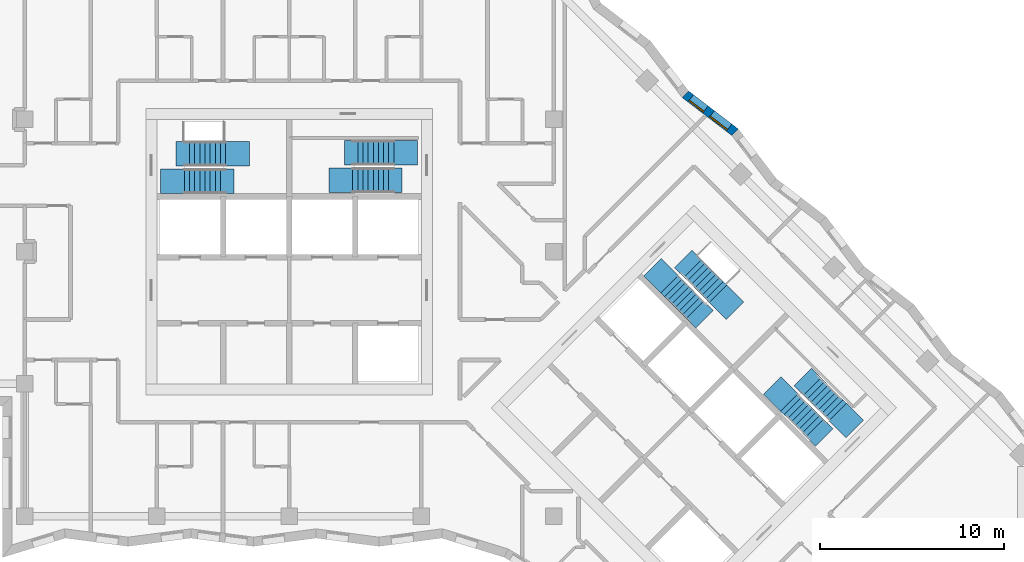
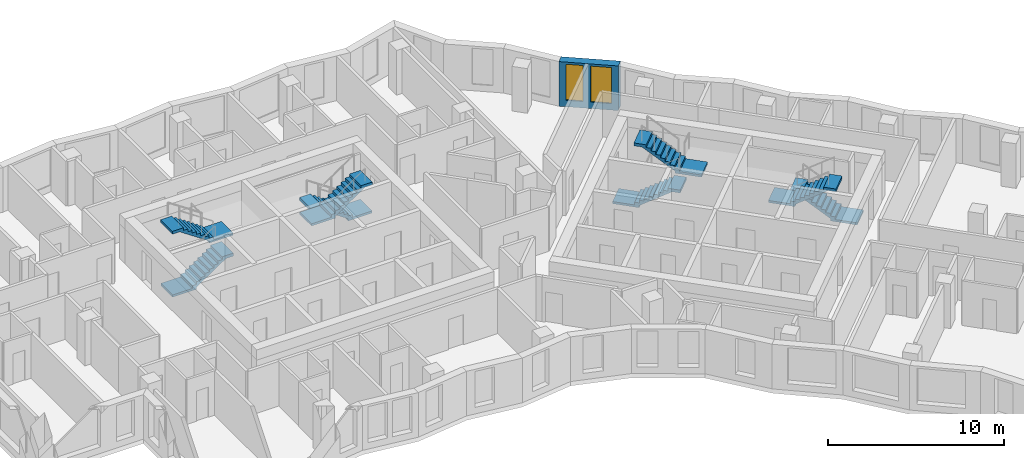
# One storey, part 10 of 12: 8 stair flights, 2 windows, 1 wall, 2 openings, 4 elements without a shape of their own.
"""IFC4 building model written with IfcOpenShell, lengths in metres."""

from ifc_helpers import new_model, si_unit, direction, frame, frame_2d, origin, place, context, subcontext, project, spatial, polyline, rectangle, outline, extrude, material, layer, layer_set, type_object, element, fill, aggregate, save


model = new_model("IFC4")

# Units and contexts
model_context = context("Model", 3, precision=1e-05, world=origin(), true_north=direction((0.0, 1.0)))
body_context = subcontext(model_context, "Body", "Model", "MODEL_VIEW")
ifc_project = project(units=[si_unit("LENGTHUNIT", "METRE"), si_unit("AREAUNIT", "SQUARE_METRE"), si_unit("VOLUMEUNIT", "CUBIC_METRE"), si_unit("PLANEANGLEUNIT", "RADIAN"), si_unit("MASSUNIT", "GRAM", prefix="KILO")], contexts=[model_context])

# Site, building, storey
site_placement = place(None, origin())
site = spatial("IfcSite", under=ifc_project, at=site_placement, CompositionType="ELEMENT")
building_placement = place(site_placement, origin())
building = spatial("IfcBuilding", under=site, at=building_placement, Name="Windrow Commons", CompositionType="ELEMENT")
storey_placement = place(building_placement, frame((0.0, 0.0, 152.4)))
storey = spatial("IfcBuildingStorey", under=building, at=storey_placement, Name="L41", CompositionType="ELEMENT", Elevation=152.4)

# Wall, openings, windows
ifc_material_1 = material(Name="Brick masonry, red clay brick", Category="masonry")
ifc_layer = layer(ifc_material_1, 0.5)
ifc_layer_set = layer_set([ifc_layer], Name="Brick facade wall 500")
wall_type = type_object("IfcWallType", Name="Brick facade wall 500", PredefinedType="SOLIDWALL", material=ifc_layer_set)
wall_placement = place(storey_placement, frame((89.0834, 64.0948, 0.0), z_axis=(0.0, 0.0, 1.0), x_axis=(-0.7944694348, 0.6073041389, 0.0)))
wall = element("IfcWall", 1, at=wall_placement, inside=storey, type_object=wall_type, Name="Brick facade wall L41 15", PredefinedType="SOLIDWALL", context=body_context, shape_type="SweptSolid", body=[
    extrude(outline(polyline([(-0.0334, -0.25), (3.3743, -0.25), (3.4411, 0.25), (0.0334, 0.25), (-0.0334, -0.25)])), origin(), (0.0, 0.0, 1.0), 3.1),
])
opening_1_placement = place(wall_placement, frame((0.4138, 0.0, 0.45)))
opening_1 = element("IfcOpeningElement", 2, at=opening_1_placement, cuts=wall, Name="Opening W7E", PredefinedType="OPENING", context=body_context, shape_type="SweptSolid", body=[
    extrude(rectangle(XDim=1.2, YDim=2.5, at=frame_2d((0.6, 1.25))), frame((0.0, 0.26, 0.0), z_axis=(0.0, -1.0, 0.0), x_axis=(1.0, 0.0, 0.0)), (0.0, 0.0, 1.0), 0.52),
])
opening_2_placement = place(wall_placement, frame((2.0433, 0.0, 0.45)))
opening_2 = element("IfcOpeningElement", 3, at=opening_2_placement, cuts=wall, Name="Opening W1S", PredefinedType="OPENING", context=body_context, shape_type="SweptSolid", body=[
    extrude(rectangle(XDim=1.0, YDim=2.5, at=frame_2d((0.5, 1.25))), frame((0.0, 0.26, 0.0), z_axis=(0.0, -1.0, 0.0), x_axis=(1.0, 0.0, 0.0)), (0.0, 0.0, 1.0), 0.52),
])
ifc_material_2 = material(Name="Clear float glass in anodised aluminium frame", Category="aluminium")
window_type_1 = type_object("IfcWindowType", Name="Window W1S slit 1000x2500", PartitioningType="SINGLE_PANEL", PredefinedType="WINDOW", material=ifc_material_2)
window_1_placement = place(opening_2_placement, origin())
window_1 = element("IfcWindow", 4, at=window_1_placement, inside=storey, type_object=window_type_1, Name="Window L41 15.2A", OverallHeight=2.5, OverallWidth=1.0, PartitioningType="SINGLE_PANEL", PredefinedType="WINDOW", context=body_context, shape_type="SweptSolid", body=[
    extrude(rectangle(XDim=1.0, YDim=2.5, at=frame_2d((0.5, 1.25))), frame((0.0, 0.18, 0.0), z_axis=(0.0, -1.0, 0.0), x_axis=(1.0, 0.0, 0.0)), (0.0, 0.0, 1.0), 0.06),
])
fill(opening_2, window_1)
ifc_material_3 = material(Name="Clear float glass in anodised aluminium frame", Category="aluminium")
window_type_2 = type_object("IfcWindowType", Name="Window W7 notch 1200x2500", PartitioningType="SINGLE_PANEL", PredefinedType="WINDOW", material=ifc_material_3)
window_2_placement = place(opening_1_placement, origin())
window_2 = element("IfcWindow", 5, at=window_2_placement, inside=storey, type_object=window_type_2, Name="Window L41 15.1", OverallHeight=2.5, OverallWidth=1.2, PartitioningType="SINGLE_PANEL", PredefinedType="WINDOW", context=body_context, shape_type="SweptSolid", body=[
    extrude(rectangle(XDim=1.2, YDim=2.5, at=frame_2d((0.6, 1.25))), frame((0.0, 0.18, 0.0), z_axis=(0.0, -1.0, 0.0), x_axis=(1.0, 0.0, 0.0)), (0.0, 0.0, 1.0), 0.06),
])
fill(opening_1, window_2)

# Stair, stair flights
ifc_material_4 = material(Name="Concrete C40/50", Category="concrete")
stair_type = type_object("IfcStairType", Name="Core stair", PredefinedType="HALF_TURN_STAIR", material=ifc_material_4)
placement = place(storey_placement, origin())
stair_1 = element("IfcStair", 6, at=placement, inside=storey, type_object=stair_type, Name="L41 Exit stair A1 core A", PredefinedType="HALF_TURN_STAIR")
ifc_material_5 = material(Name="Concrete C40/50", Category="concrete")
stair_flight_type = type_object("IfcStairFlightType", Name="Core stair flight", PredefinedType="STRAIGHT", material=ifc_material_5)
stair_flight_1_placement = place(storey_placement, frame((59.1, 61.425, 0.0), z_axis=(0.0, 0.0, 1.0), x_axis=(1.0, 0.0, 0.0)))
stair_flight_1 = element("IfcStairFlight", 7, at=stair_flight_1_placement, type_object=stair_flight_type, Name="ST-A1 flight 1", NumberOfRisers=9, NumberOfTreads=8, PredefinedType="STRAIGHT", RiserHeight=0.188888889, TreadLength=0.28, context=body_context, shape_type="SweptSolid", body=[
    extrude(outline(polyline([(-1.3, -0.15), (-1.3, 0.0), (0.0, 0.0), (0.0, 0.1889), (0.28, 0.1889), (0.28, 0.3778), (0.56, 0.3778), (0.56, 0.5667), (0.84, 0.5667), (0.84, 0.7556), (1.12, 0.7556), (1.12, 0.9444), (1.4, 0.9444), (1.4, 1.1333), (1.68, 1.1333), (1.68, 1.3222), (1.96, 1.3222), (1.96, 1.5111), (2.24, 1.5111), (2.69, 1.5111), (2.69, 1.3111), (2.24, 1.3111), (2.24, 1.3302), (0.2682, 0.0), (0.2682, -0.15), (-1.3, -0.15)])), frame((0.0, 0.675, 0.0), z_axis=(0.0, -1.0, 0.0), x_axis=(1.0, 0.0, 0.0)), (0.0, 0.0, 1.0), 1.35),
])
stair_flight_2_placement = place(storey_placement, frame((61.34, 62.925, 1.7), z_axis=(0.0, 0.0, 1.0), x_axis=(-1.0, 0.0, 0.0)))
stair_flight_2 = element("IfcStairFlight", 8, at=stair_flight_2_placement, type_object=stair_flight_type, Name="ST-A1 flight 2", NumberOfRisers=9, NumberOfTreads=8, PredefinedType="STRAIGHT", RiserHeight=0.188888889, TreadLength=0.28, context=body_context, shape_type="SweptSolid", body=[
    extrude(outline(polyline([(-1.3, -0.15), (-1.3, 0.0), (0.0, 0.0), (0.0, 0.1889), (0.28, 0.1889), (0.28, 0.3778), (0.56, 0.3778), (0.56, 0.5667), (0.84, 0.5667), (0.84, 0.7556), (1.12, 0.7556), (1.12, 0.9444), (1.4, 0.9444), (1.4, 1.1333), (1.68, 1.1333), (1.68, 1.3222), (1.96, 1.3222), (1.96, 1.5111), (2.24, 1.5111), (2.69, 1.5111), (2.69, 1.3111), (2.24, 1.3111), (2.24, 1.3302), (0.2682, 0.0), (0.2682, -0.15), (-1.3, -0.15)])), frame((0.0, 0.675, 0.0), z_axis=(0.0, -1.0, 0.0), x_axis=(1.0, 0.0, 0.0)), (0.0, 0.0, 1.0), 1.35),
])
aggregate(stair_1, [stair_flight_1, stair_flight_2])

stair_2 = element("IfcStair", 9, at=placement, inside=storey, type_object=stair_type, Name="L41 Exit stair A2 core A", PredefinedType="HALF_TURN_STAIR")
stair_flight_3_placement = place(storey_placement, frame((70.5, 62.98, 0.0), z_axis=(0.0, 0.0, 1.0), x_axis=(-1.0, 0.0, 0.0)))
stair_flight_3 = element("IfcStairFlight", 10, at=stair_flight_3_placement, type_object=stair_flight_type, Name="ST-A2 flight 1", NumberOfRisers=9, NumberOfTreads=8, PredefinedType="STRAIGHT", RiserHeight=0.188888889, TreadLength=0.28, context=body_context, shape_type="SweptSolid", body=[
    extrude(outline(polyline([(-1.3, -0.15), (-1.3, 0.0), (0.0, 0.0), (0.0, 0.1889), (0.28, 0.1889), (0.28, 0.3778), (0.56, 0.3778), (0.56, 0.5667), (0.84, 0.5667), (0.84, 0.7556), (1.12, 0.7556), (1.12, 0.9444), (1.4, 0.9444), (1.4, 1.1333), (1.68, 1.1333), (1.68, 1.3222), (1.96, 1.3222), (1.96, 1.5111), (2.24, 1.5111), (2.69, 1.5111), (2.69, 1.3111), (2.24, 1.3111), (2.24, 1.3302), (0.2682, 0.0), (0.2682, -0.15), (-1.3, -0.15)])), frame((0.0, 0.675, 0.0), z_axis=(0.0, -1.0, 0.0), x_axis=(1.0, 0.0, 0.0)), (0.0, 0.0, 1.0), 1.35),
])
stair_flight_4_placement = place(storey_placement, frame((68.26, 61.48, 1.7), z_axis=(0.0, 0.0, 1.0), x_axis=(1.0, 0.0, 0.0)))
stair_flight_4 = element("IfcStairFlight", 11, at=stair_flight_4_placement, type_object=stair_flight_type, Name="ST-A2 flight 2", NumberOfRisers=9, NumberOfTreads=8, PredefinedType="STRAIGHT", RiserHeight=0.188888889, TreadLength=0.28, context=body_context, shape_type="SweptSolid", body=[
    extrude(outline(polyline([(-1.3, -0.15), (-1.3, 0.0), (0.0, 0.0), (0.0, 0.1889), (0.28, 0.1889), (0.28, 0.3778), (0.56, 0.3778), (0.56, 0.5667), (0.84, 0.5667), (0.84, 0.7556), (1.12, 0.7556), (1.12, 0.9444), (1.4, 0.9444), (1.4, 1.1333), (1.68, 1.1333), (1.68, 1.3222), (1.96, 1.3222), (1.96, 1.5111), (2.24, 1.5111), (2.69, 1.5111), (2.69, 1.3111), (2.24, 1.3111), (2.24, 1.3302), (0.2682, 0.0), (0.2682, -0.15), (-1.3, -0.15)])), frame((0.0, 0.675, 0.0), z_axis=(0.0, -1.0, 0.0), x_axis=(1.0, 0.0, 0.0)), (0.0, 0.0, 1.0), 1.35),
])
aggregate(stair_2, [stair_flight_3, stair_flight_4])

stair_3 = element("IfcStair", 12, at=placement, inside=storey, type_object=stair_type, Name="L41 Exit stair B1 core B", PredefinedType="HALF_TURN_STAIR")
stair_flight_5_placement = place(storey_placement, frame((85.5109, 55.8249, 0.0), z_axis=(0.0, 0.0, 1.0), x_axis=(0.7071067812, -0.7071067812, 0.0)))
stair_flight_5 = element("IfcStairFlight", 13, at=stair_flight_5_placement, type_object=stair_flight_type, Name="ST-B1 flight 1", NumberOfRisers=9, NumberOfTreads=8, PredefinedType="STRAIGHT", RiserHeight=0.188888889, TreadLength=0.28, context=body_context, shape_type="SweptSolid", body=[
    extrude(outline(polyline([(-1.3, -0.15), (-1.3, 0.0), (0.0, 0.0), (0.0, 0.1889), (0.28, 0.1889), (0.28, 0.3778), (0.56, 0.3778), (0.56, 0.5667), (0.84, 0.5667), (0.84, 0.7556), (1.12, 0.7556), (1.12, 0.9444), (1.4, 0.9444), (1.4, 1.1333), (1.68, 1.1333), (1.68, 1.3222), (1.96, 1.3222), (1.96, 1.5111), (2.24, 1.5111), (2.69, 1.5111), (2.69, 1.3111), (2.24, 1.3111), (2.24, 1.3302), (0.2682, 0.0), (0.2682, -0.15), (-1.3, -0.15)])), frame((0.0, 0.675, 0.0), z_axis=(0.0, -1.0, 0.0), x_axis=(1.0, 0.0, 0.0)), (0.0, 0.0, 1.0), 1.35),
])
stair_flight_6_placement = place(storey_placement, frame((88.1555, 55.3017, 1.7), z_axis=(0.0, 0.0, 1.0), x_axis=(-0.7071067812, 0.7071067812, 0.0)))
stair_flight_6 = element("IfcStairFlight", 14, at=stair_flight_6_placement, type_object=stair_flight_type, Name="ST-B1 flight 2", NumberOfRisers=9, NumberOfTreads=8, PredefinedType="STRAIGHT", RiserHeight=0.188888889, TreadLength=0.28, context=body_context, shape_type="SweptSolid", body=[
    extrude(outline(polyline([(-1.3, -0.15), (-1.3, 0.0), (0.0, 0.0), (0.0, 0.1889), (0.28, 0.1889), (0.28, 0.3778), (0.56, 0.3778), (0.56, 0.5667), (0.84, 0.5667), (0.84, 0.7556), (1.12, 0.7556), (1.12, 0.9444), (1.4, 0.9444), (1.4, 1.1333), (1.68, 1.1333), (1.68, 1.3222), (1.96, 1.3222), (1.96, 1.5111), (2.24, 1.5111), (2.69, 1.5111), (2.69, 1.3111), (2.24, 1.3111), (2.24, 1.3302), (0.2682, 0.0), (0.2682, -0.15), (-1.3, -0.15)])), frame((0.0, 0.675, 0.0), z_axis=(0.0, -1.0, 0.0), x_axis=(1.0, 0.0, 0.0)), (0.0, 0.0, 1.0), 1.35),
])
aggregate(stair_3, [stair_flight_5, stair_flight_6])

stair_4 = element("IfcStair", 15, at=placement, inside=storey, type_object=stair_type, Name="L41 Exit stair B2 core B", PredefinedType="HALF_TURN_STAIR")
stair_flight_7_placement = place(storey_placement, frame((94.6715, 48.8635, 0.0), z_axis=(0.0, 0.0, 1.0), x_axis=(-0.7071067812, 0.7071067812, 0.0)))
stair_flight_7 = element("IfcStairFlight", 16, at=stair_flight_7_placement, type_object=stair_flight_type, Name="ST-B2 flight 1", NumberOfRisers=9, NumberOfTreads=8, PredefinedType="STRAIGHT", RiserHeight=0.188888889, TreadLength=0.28, context=body_context, shape_type="SweptSolid", body=[
    extrude(outline(polyline([(-1.3, -0.15), (-1.3, 0.0), (0.0, 0.0), (0.0, 0.1889), (0.28, 0.1889), (0.28, 0.3778), (0.56, 0.3778), (0.56, 0.5667), (0.84, 0.5667), (0.84, 0.7556), (1.12, 0.7556), (1.12, 0.9444), (1.4, 0.9444), (1.4, 1.1333), (1.68, 1.1333), (1.68, 1.3222), (1.96, 1.3222), (1.96, 1.5111), (2.24, 1.5111), (2.69, 1.5111), (2.69, 1.3111), (2.24, 1.3111), (2.24, 1.3302), (0.2682, 0.0), (0.2682, -0.15), (-1.3, -0.15)])), frame((0.0, 0.675, 0.0), z_axis=(0.0, -1.0, 0.0), x_axis=(1.0, 0.0, 0.0)), (0.0, 0.0, 1.0), 1.35),
])
stair_flight_8_placement = place(storey_placement, frame((92.0269, 49.3867, 1.7), z_axis=(0.0, 0.0, 1.0), x_axis=(0.7071067812, -0.7071067812, 0.0)))
stair_flight_8 = element("IfcStairFlight", 17, at=stair_flight_8_placement, type_object=stair_flight_type, Name="ST-B2 flight 2", NumberOfRisers=9, NumberOfTreads=8, PredefinedType="STRAIGHT", RiserHeight=0.188888889, TreadLength=0.28, context=body_context, shape_type="SweptSolid", body=[
    extrude(outline(polyline([(-1.3, -0.15), (-1.3, 0.0), (0.0, 0.0), (0.0, 0.1889), (0.28, 0.1889), (0.28, 0.3778), (0.56, 0.3778), (0.56, 0.5667), (0.84, 0.5667), (0.84, 0.7556), (1.12, 0.7556), (1.12, 0.9444), (1.4, 0.9444), (1.4, 1.1333), (1.68, 1.1333), (1.68, 1.3222), (1.96, 1.3222), (1.96, 1.5111), (2.24, 1.5111), (2.69, 1.5111), (2.69, 1.3111), (2.24, 1.3111), (2.24, 1.3302), (0.2682, 0.0), (0.2682, -0.15), (-1.3, -0.15)])), frame((0.0, 0.675, 0.0), z_axis=(0.0, -1.0, 0.0), x_axis=(1.0, 0.0, 0.0)), (0.0, 0.0, 1.0), 1.35),
])
aggregate(stair_4, [stair_flight_7, stair_flight_8])

save(model, "model.ifc")
